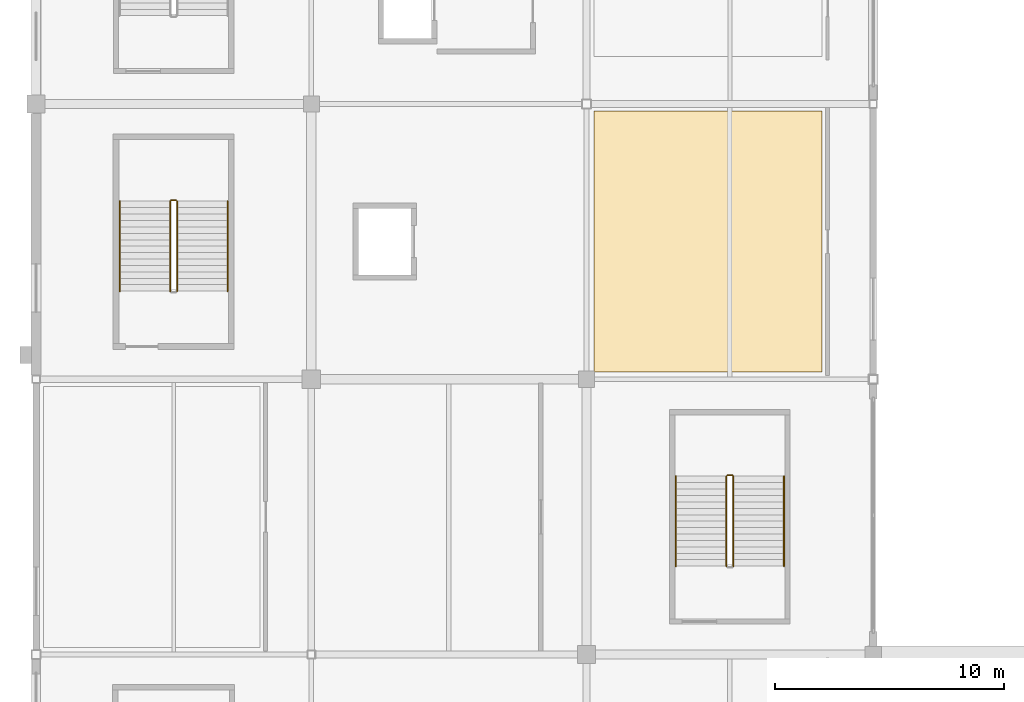
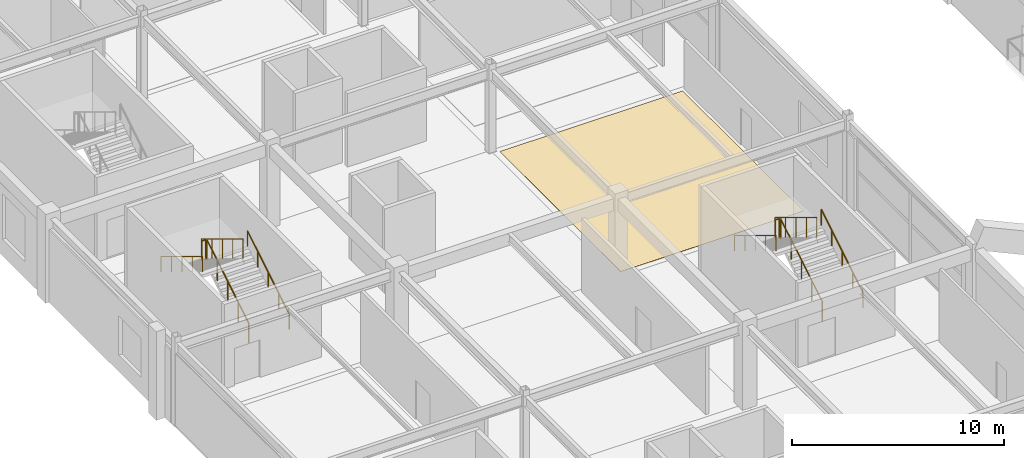
# One storey, part 113 of 128: 10 railings, 1 covering.
"""IFC4 building model written with IfcOpenShell, lengths in metres."""

from ifc_helpers import new_model, si_unit, direction, frame, origin, origin_2d, place, context, subcontext, project, spatial, polyline, circle, outline, extrude, material, layer, layer_set, type_object, element, save


model = new_model("IFC4")

# Units and contexts
model_context = context("Model", 3, precision=1e-05, world=origin(), true_north=direction((0.0, 1.0)))
body_context = subcontext(model_context, "Body", "Model", "MODEL_VIEW")
ifc_project = project(units=[si_unit("LENGTHUNIT", "METRE"), si_unit("AREAUNIT", "SQUARE_METRE"), si_unit("VOLUMEUNIT", "CUBIC_METRE"), si_unit("PLANEANGLEUNIT", "RADIAN"), si_unit("MASSUNIT", "GRAM", prefix="KILO")], contexts=[model_context])

# Site, building, storey
site_placement = place(None, origin())
site = spatial("IfcSite", under=ifc_project, at=site_placement, CompositionType="ELEMENT")
building_placement = place(site_placement, origin())
building = spatial("IfcBuilding", under=site, at=building_placement, Name="Kazenohara Klinker Stadium", CompositionType="ELEMENT")
storey_placement = place(building_placement, frame((0.0, 0.0, 15.300048828125)))
storey = spatial("IfcBuildingStorey", under=building, at=storey_placement, Name="L03", CompositionType="ELEMENT", Elevation=15.300048828125)

# Covering
ifc_material_1 = material(Name="Cushioned EPDM sports rubber flooring", Category="rubber")
ifc_layer_1 = layer(ifc_material_1, 0.014892578125)
ifc_layer_set_1 = layer_set([ifc_layer_1], Name="Cushioned EPDM sports rubber flooring")
covering_type = type_object("IfcCoveringType", Name="COV-FLR-02", PredefinedType="FLOORING", material=ifc_layer_set_1)
covering_placement = place(storey_placement, origin())
element("IfcCovering", 1, at=covering_placement, inside=storey, type_object=covering_type, Name="Interior floor finish FL02 Upper Concourse Supporter Dining Pavilion L03-0211A", PredefinedType="FLOORING", context=body_context, shape_type="SweptSolid", body=[
    extrude(outline(polyline([(24.330078125, 132.31005859375), (34.27001953125, 132.31005859375), (34.27001953125, 143.68994140625), (24.330078125, 143.68994140625), (24.330078125, 132.31005859375)])), origin(), (0.0, 0.0, 1.0), 0.014892578125),
])

# Railings
ifc_material_2 = material(Name="Brushed stainless steel 304 handrail", Category="steel")
ifc_layer_2 = layer(ifc_material_2, 0.050048828125)
ifc_layer_set_2 = layer_set([ifc_layer_2], Name="Brushed stainless steel 304 handrail")
railing_type_1 = type_object("IfcRailingType", Name="RL-HND-900", PredefinedType="HANDRAIL", material=ifc_layer_set_2)
railing_1_placement = place(storey_placement, frame((8.35009765625, 135.840087890625, 0.169921875)))
element("IfcRailing", 2, at=railing_1_placement, inside=storey, type_object=railing_type_1, Name="L03 ST05 stair handrail 1", PredefinedType="HANDRAIL", context=body_context, shape_type="SweptSolid", body=[
    extrude(circle(Radius=0.02392578125, at=origin_2d()), frame((0.0, 0.0, 0.8759765625), z_axis=(0.0, 0.854770645689, 0.519005918337), x_axis=(-1.0, 0.0, 0.0)), (0.0, 0.0, 1.0), 4.5859375),
    extrude(circle(Radius=0.02099609375, at=origin_2d()), origin(), (0.0, 0.0, 1.0), 0.851806640625),
    extrude(circle(Radius=0.02099609375, at=origin_2d()), frame((0.0, 0.97998046875, 0.594970703125)), (0.0, 0.0, 1.0), 0.851806640625),
    extrude(circle(Radius=0.02099609375, at=origin_2d()), frame((0.0, 1.9599609375, 1.18994140625)), (0.0, 0.0, 1.0), 0.851806640625),
    extrude(circle(Radius=0.02099609375, at=origin_2d()), frame((0.0, 2.93994140625, 1.78515625)), (0.0, 0.0, 1.0), 0.851806640625),
    extrude(circle(Radius=0.02099609375, at=origin_2d()), frame((0.0, 3.919921875, 2.380126953125)), (0.0, 0.0, 1.0), 0.851806640625),
])
railing_2_placement = place(storey_placement, frame((3.64990234375, 139.760009765625, 2.719970703125)))
element("IfcRailing", 3, at=railing_2_placement, inside=storey, type_object=railing_type_1, Name="L03 ST05 stair handrail 2", PredefinedType="HANDRAIL", context=body_context, shape_type="SweptSolid", body=[
    extrude(circle(Radius=0.02392578125, at=origin_2d()), frame((0.0, 0.0, 0.8759765625), z_axis=(0.0, -0.854794262968, 0.518967020143), x_axis=(1.0, 0.0, 0.0)), (0.0, 0.0, 1.0), 4.585693359375),
    extrude(circle(Radius=0.02099609375, at=origin_2d()), origin(), (0.0, 0.0, 1.0), 0.851806640625),
    extrude(circle(Radius=0.02099609375, at=origin_2d()), frame((0.0, -0.97998046875, 0.594970703125)), (0.0, 0.0, 1.0), 0.851806640625),
    extrude(circle(Radius=0.02099609375, at=origin_2d()), frame((0.0, -1.9599609375, 1.18994140625)), (0.0, 0.0, 1.0), 0.851806640625),
    extrude(circle(Radius=0.02099609375, at=origin_2d()), frame((0.0, -2.93994140625, 1.784912109375)), (0.0, 0.0, 1.0), 0.851806640625),
    extrude(circle(Radius=0.02099609375, at=origin_2d()), frame((0.0, -3.919921875, 2.3798828125)), (0.0, 0.0, 1.0), 0.851806640625),
])
railing_3_placement = place(storey_placement, frame((32.610107421875, 123.85009765625, 0.169921875)))
element("IfcRailing", 4, at=railing_3_placement, inside=storey, type_object=railing_type_1, Name="L03 ST18 stair handrail 1", PredefinedType="HANDRAIL", context=body_context, shape_type="SweptSolid", body=[
    extrude(circle(Radius=0.02392578125, at=origin_2d()), frame((0.0, 0.0, 0.8759765625), z_axis=(0.0, 0.854770645689, 0.519005918337), x_axis=(-1.0, 0.0, 0.0)), (0.0, 0.0, 1.0), 4.5859375),
    extrude(circle(Radius=0.02099609375, at=origin_2d()), origin(), (0.0, 0.0, 1.0), 0.851806640625),
    extrude(circle(Radius=0.02099609375, at=origin_2d()), frame((0.0, 0.97998046875, 0.594970703125)), (0.0, 0.0, 1.0), 0.851806640625),
    extrude(circle(Radius=0.02099609375, at=origin_2d()), frame((0.0, 1.9599609375, 1.18994140625)), (0.0, 0.0, 1.0), 0.851806640625),
    extrude(circle(Radius=0.02099609375, at=origin_2d()), frame((0.0, 2.93994140625, 1.78515625)), (0.0, 0.0, 1.0), 0.851806640625),
    extrude(circle(Radius=0.02099609375, at=origin_2d()), frame((0.0, 3.919921875, 2.380126953125)), (0.0, 0.0, 1.0), 0.851806640625),
])
railing_4_placement = place(storey_placement, frame((27.889892578125, 127.77001953125, 2.719970703125)))
element("IfcRailing", 5, at=railing_4_placement, inside=storey, type_object=railing_type_1, Name="L03 ST18 stair handrail 2", PredefinedType="HANDRAIL", context=body_context, shape_type="SweptSolid", body=[
    extrude(circle(Radius=0.02392578125, at=origin_2d()), frame((0.0, 0.0, 0.8759765625), z_axis=(0.0, -0.854794262968, 0.518967020143), x_axis=(1.0, 0.0, 0.0)), (0.0, 0.0, 1.0), 4.585693359375),
    extrude(circle(Radius=0.02099609375, at=origin_2d()), origin(), (0.0, 0.0, 1.0), 0.851806640625),
    extrude(circle(Radius=0.02099609375, at=origin_2d()), frame((0.0, -0.97998046875, 0.594970703125)), (0.0, 0.0, 1.0), 0.851806640625),
    extrude(circle(Radius=0.02099609375, at=origin_2d()), frame((0.0, -1.9599609375, 1.18994140625)), (0.0, 0.0, 1.0), 0.851806640625),
    extrude(circle(Radius=0.02099609375, at=origin_2d()), frame((0.0, -2.93994140625, 1.784912109375)), (0.0, 0.0, 1.0), 0.851806640625),
    extrude(circle(Radius=0.02099609375, at=origin_2d()), frame((0.0, -3.919921875, 2.3798828125)), (0.0, 0.0, 1.0), 0.851806640625),
])
ifc_material_3 = material(Name="Painted steel stairwell guardrail", Category="steel")
ifc_layer_3 = layer(ifc_material_3, 0.06005859375)
ifc_layer_set_3 = layer_set([ifc_layer_3], Name="Painted steel stairwell guardrail")
railing_type_2 = type_object("IfcRailingType", Name="RL-STG-1120", PredefinedType="GUARDRAIL", material=ifc_layer_set_3)
railing_5_placement = place(storey_placement, frame((6.14990234375, 135.840087890625, 0.169921875)))
element("IfcRailing", 6, at=railing_5_placement, inside=storey, type_object=railing_type_2, Name="L03 ST05 stair guard 1", PredefinedType="GUARDRAIL", context=body_context, shape_type="SweptSolid", body=[
    extrude(circle(Radius=0.02392578125, at=origin_2d()), frame((0.0, 0.0, 1.1259765625), z_axis=(0.0, 0.854770645689, 0.519005918337), x_axis=(-1.0, 0.0, 0.0)), (0.0, 0.0, 1.0), 4.5859375),
    extrude(circle(Radius=0.02099609375, at=origin_2d()), origin(), (0.0, 0.0, 1.0), 1.101806640625),
    extrude(circle(Radius=0.02099609375, at=origin_2d()), frame((0.0, 0.97998046875, 0.594970703125)), (0.0, 0.0, 1.0), 1.101806640625),
    extrude(circle(Radius=0.02099609375, at=origin_2d()), frame((0.0, 1.9599609375, 1.18994140625)), (0.0, 0.0, 1.0), 1.101806640625),
    extrude(circle(Radius=0.02099609375, at=origin_2d()), frame((0.0, 2.93994140625, 1.78515625)), (0.0, 0.0, 1.0), 1.101806640625),
    extrude(circle(Radius=0.02099609375, at=origin_2d()), frame((0.0, 3.919921875, 2.380126953125)), (0.0, 0.0, 1.0), 1.101806640625),
])
railing_6_placement = place(storey_placement, frame((6.10009765625, 139.81005859375, 2.550048828125)))
element("IfcRailing", 7, at=railing_6_placement, inside=storey, type_object=railing_type_2, Name="L03 ST05 stair guard 2", PredefinedType="GUARDRAIL", context=body_context, shape_type="SweptSolid", body=[
    extrude(circle(Radius=0.02392578125, at=origin_2d()), frame((0.0, 0.0, 1.1259765625), z_axis=(-1.0, 0.0, 0.0), x_axis=(0.0, -1.0, 0.0)), (0.0, 0.0, 1.0), 0.2001953125),
    extrude(circle(Radius=0.02099609375, at=origin_2d()), origin(), (0.0, 0.0, 1.0), 1.101806640625),
    extrude(circle(Radius=0.02099609375, at=origin_2d()), frame((-0.2001953125, 0.0, 0.0)), (0.0, 0.0, 1.0), 1.101806640625),
])
railing_7_placement = place(storey_placement, frame((5.85009765625, 139.760009765625, 2.719970703125)))
element("IfcRailing", 8, at=railing_7_placement, inside=storey, type_object=railing_type_2, Name="L03 ST05 stair guard 3", PredefinedType="GUARDRAIL", context=body_context, shape_type="SweptSolid", body=[
    extrude(circle(Radius=0.02392578125, at=origin_2d()), frame((0.0, 0.0, 1.1259765625), z_axis=(0.0, -0.854794262968, 0.518967020143), x_axis=(1.0, 0.0, 0.0)), (0.0, 0.0, 1.0), 4.585693359375),
    extrude(circle(Radius=0.02099609375, at=origin_2d()), origin(), (0.0, 0.0, 1.0), 1.101806640625),
    extrude(circle(Radius=0.02099609375, at=origin_2d()), frame((0.0, -0.97998046875, 0.594970703125)), (0.0, 0.0, 1.0), 1.101806640625),
    extrude(circle(Radius=0.02099609375, at=origin_2d()), frame((0.0, -1.9599609375, 1.18994140625)), (0.0, 0.0, 1.0), 1.101806640625),
    extrude(circle(Radius=0.02099609375, at=origin_2d()), frame((0.0, -2.93994140625, 1.784912109375)), (0.0, 0.0, 1.0), 1.101806640625),
    extrude(circle(Radius=0.02099609375, at=origin_2d()), frame((0.0, -3.919921875, 2.3798828125)), (0.0, 0.0, 1.0), 1.101806640625),
])
railing_8_placement = place(storey_placement, frame((30.39990234375, 123.85009765625, 0.169921875)))
element("IfcRailing", 9, at=railing_8_placement, inside=storey, type_object=railing_type_2, Name="L03 ST18 stair guard 1", PredefinedType="GUARDRAIL", context=body_context, shape_type="SweptSolid", body=[
    extrude(circle(Radius=0.02392578125, at=origin_2d()), frame((0.0, 0.0, 1.1259765625), z_axis=(0.0, 0.854770645689, 0.519005918337), x_axis=(-1.0, 0.0, 0.0)), (0.0, 0.0, 1.0), 4.5859375),
    extrude(circle(Radius=0.02099609375, at=origin_2d()), origin(), (0.0, 0.0, 1.0), 1.101806640625),
    extrude(circle(Radius=0.02099609375, at=origin_2d()), frame((0.0, 0.97998046875, 0.594970703125)), (0.0, 0.0, 1.0), 1.101806640625),
    extrude(circle(Radius=0.02099609375, at=origin_2d()), frame((0.0, 1.9599609375, 1.18994140625)), (0.0, 0.0, 1.0), 1.101806640625),
    extrude(circle(Radius=0.02099609375, at=origin_2d()), frame((0.0, 2.93994140625, 1.78515625)), (0.0, 0.0, 1.0), 1.101806640625),
    extrude(circle(Radius=0.02099609375, at=origin_2d()), frame((0.0, 3.919921875, 2.380126953125)), (0.0, 0.0, 1.0), 1.101806640625),
])
railing_9_placement = place(storey_placement, frame((30.35009765625, 127.820068359375, 2.550048828125)))
element("IfcRailing", 10, at=railing_9_placement, inside=storey, type_object=railing_type_2, Name="L03 ST18 stair guard 2", PredefinedType="GUARDRAIL", context=body_context, shape_type="SweptSolid", body=[
    extrude(circle(Radius=0.02392578125, at=origin_2d()), frame((0.0, 0.0, 1.1259765625), z_axis=(-1.0, 0.0, 0.0), x_axis=(0.0, -1.0, 0.0)), (0.0, 0.0, 1.0), 0.2001953125),
    extrude(circle(Radius=0.02099609375, at=origin_2d()), origin(), (0.0, 0.0, 1.0), 1.101806640625),
    extrude(circle(Radius=0.02099609375, at=origin_2d()), frame((-0.2001953125, 0.0, 0.0)), (0.0, 0.0, 1.0), 1.101806640625),
])
railing_10_placement = place(storey_placement, frame((30.10009765625, 127.77001953125, 2.719970703125)))
element("IfcRailing", 11, at=railing_10_placement, inside=storey, type_object=railing_type_2, Name="L03 ST18 stair guard 3", PredefinedType="GUARDRAIL", context=body_context, shape_type="SweptSolid", body=[
    extrude(circle(Radius=0.02392578125, at=origin_2d()), frame((0.0, 0.0, 1.1259765625), z_axis=(0.0, -0.854794262968, 0.518967020143), x_axis=(1.0, 0.0, 0.0)), (0.0, 0.0, 1.0), 4.585693359375),
    extrude(circle(Radius=0.02099609375, at=origin_2d()), origin(), (0.0, 0.0, 1.0), 1.101806640625),
    extrude(circle(Radius=0.02099609375, at=origin_2d()), frame((0.0, -0.97998046875, 0.594970703125)), (0.0, 0.0, 1.0), 1.101806640625),
    extrude(circle(Radius=0.02099609375, at=origin_2d()), frame((0.0, -1.9599609375, 1.18994140625)), (0.0, 0.0, 1.0), 1.101806640625),
    extrude(circle(Radius=0.02099609375, at=origin_2d()), frame((0.0, -2.93994140625, 1.784912109375)), (0.0, 0.0, 1.0), 1.101806640625),
    extrude(circle(Radius=0.02099609375, at=origin_2d()), frame((0.0, -3.919921875, 2.3798828125)), (0.0, 0.0, 1.0), 1.101806640625),
])

save(model, "model.ifc")
